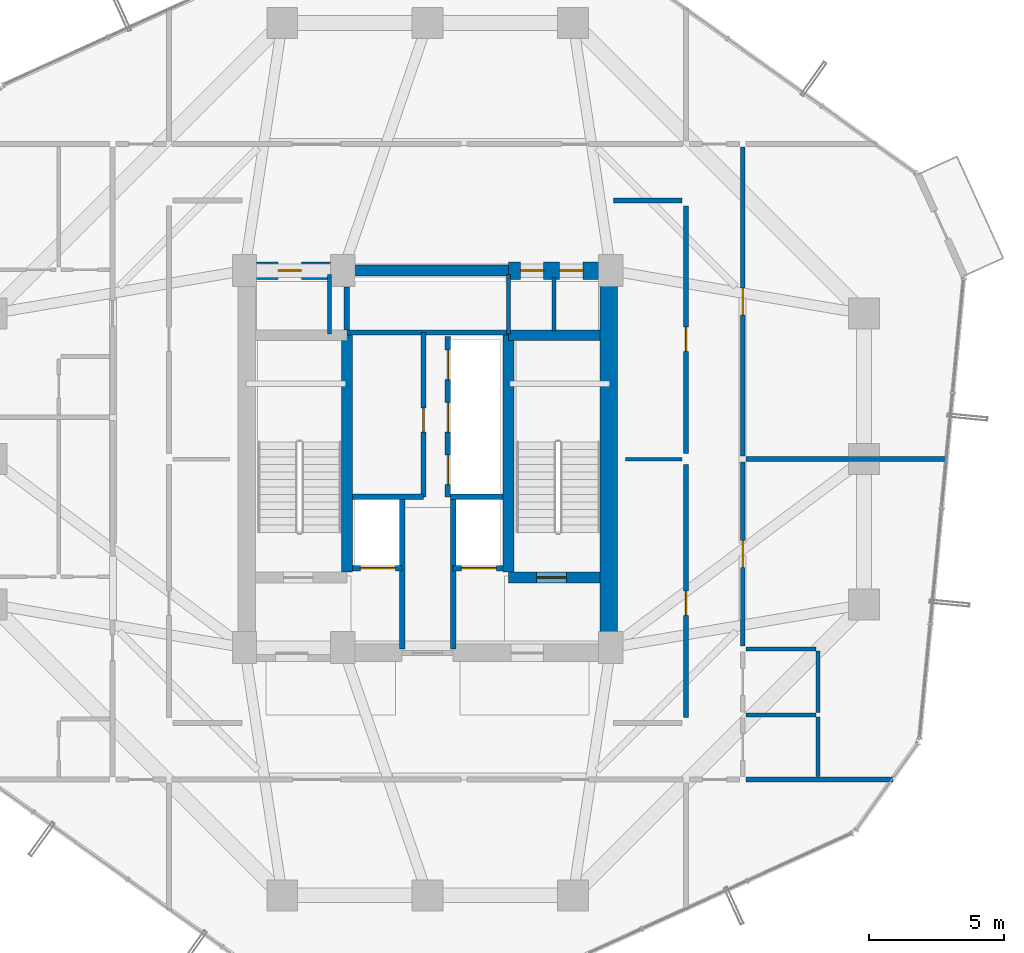
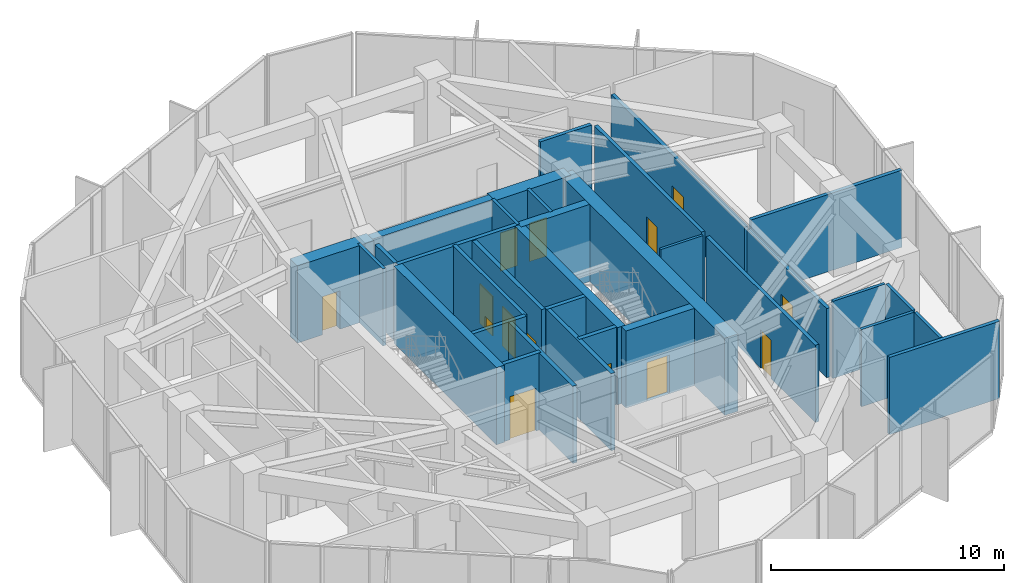
# One storey, part 22 of 25: 33 walls, 14 doors, 14 openings.
"""IFC4 building model written with IfcOpenShell, lengths in metres."""

from ifc_helpers import new_model, si_unit, direction, frame, frame_2d, origin, place, context, subcontext, project, spatial, rectangle, extrude, source, transform, mapped, material, layer, layer_set, type_object, element, fill, save


model = new_model("IFC4")

# Units and contexts
model_context = context("Model", 3, precision=1e-05, world=origin(), true_north=direction((0.0, 1.0)))
body_context = subcontext(model_context, "Body", "Model", "MODEL_VIEW")
ifc_project = project(units=[si_unit("LENGTHUNIT", "METRE"), si_unit("AREAUNIT", "SQUARE_METRE"), si_unit("VOLUMEUNIT", "CUBIC_METRE"), si_unit("PLANEANGLEUNIT", "RADIAN"), si_unit("MASSUNIT", "GRAM", prefix="KILO")], contexts=[model_context])

# Site, building, storey
site_placement = place(None, origin())
site = spatial("IfcSite", under=ifc_project, at=site_placement, CompositionType="ELEMENT")
building_placement = place(site_placement, origin())
building = spatial("IfcBuilding", under=site, at=building_placement, Name="Veraguas Prism Commons", CompositionType="ELEMENT")
storey_placement = place(building_placement, frame((0.0, 0.0, 108.949951171875)))
storey = spatial("IfcBuildingStorey", under=building, at=storey_placement, Name="L30", CompositionType="ELEMENT", Elevation=108.949951171875)

# Wall
ifc_material_1 = material(Name="Concrete C50/60", Category="concrete")
ifc_layer_1 = layer(ifc_material_1, 0.39990234375, Name="Clinic and Mid Core Shear Wall RC 400", Category="concrete")
ifc_layer_set_1 = layer_set([ifc_layer_1], Name="Concrete C50/60")
wall_type_1 = type_object("IfcWallType", Name="Clinic and Mid Core Shear Wall RC 400", PredefinedType="SHEAR", material=ifc_layer_set_1)
wall_1_placement = place(storey_placement, frame((21.0, 31.0, 0.0), z_axis=(0.0, 0.0, 1.0), x_axis=(1.0, 0.0, 0.0)))
element("IfcWall", 1, at=wall_1_placement, inside=storey, type_object=wall_type_1, Name="High-Rise Lift Bank Front Shear Wall L30", PredefinedType="SHEAR", context=body_context, shape_type="SweptSolid", body=[
    extrude(rectangle(XDim=6.0, YDim=0.39990234375, at=frame_2d((3.0, 0.0))), origin(), (0.0, 0.0, 1.0), 4.050048828125),
])

# Wall, opening, door
wall_2_placement = place(storey_placement, frame((27.0, 19.60009765625, 0.0), z_axis=(0.0, 0.0, 1.0), x_axis=(1.0, 0.0, 0.0)))
wall_2 = element("IfcWall", 2, at=wall_2_placement, inside=storey, type_object=wall_type_1, Name="Stair ST-02 South Shear Wall L30", PredefinedType="SHEAR", context=body_context, shape_type="SweptSolid", body=[
    extrude(rectangle(XDim=3.39990234375, YDim=0.39990234375, at=frame_2d((1.699951171875, 0.0))), origin(), (0.0, 0.0, 1.0), 4.050048828125),
])
opening_1_placement = place(wall_2_placement, frame((1.050048828125, 0.0, 0.0)))
opening_1 = element("IfcOpeningElement", 3, at=opening_1_placement, cuts=wall_2, Name="Opening DR-05", PredefinedType="OPENING", context=body_context, shape_type="SweptSolid", body=[
    extrude(rectangle(XDim=1.10009765625, YDim=2.030029296875, at=frame_2d((0.550048828125, 1.01513671875))), frame((0.0, 0.2099609375, 0.0), z_axis=(0.0, -1.0, 0.0), x_axis=(1.0, 0.0, 0.0)), (0.0, 0.0, 1.0), 0.419921875),
])
ifc_material_2 = material(Name="Steel fire-rated door assembly", Category="steel")
door_type_1 = type_object("IfcDoorType", Name="Protected Stair and Refuge Fire Door 1100x2030", OperationType="NOTDEFINED", PredefinedType="DOOR", material=ifc_material_2)
shared_shape_1 = source(origin(), body_context, "Body", "SweptSolid", [
    extrude(rectangle(XDim=1.10009765625, YDim=2.030029296875, at=frame_2d((0.550048828125, 1.01513671875))), frame((0.0, 0.02490234375, 0.0), z_axis=(0.0, -1.0, 0.0), x_axis=(1.0, 0.0, 0.0)), (0.0, 0.0, 1.0), 0.050048828125),
])
door_1_placement = place(opening_1_placement, origin())
door_1 = element("IfcDoor", 4, at=door_1_placement, inside=storey, type_object=door_type_1, Name="Stair ST-02 Enclosure Door L30", OperationType="SINGLE_SWING_LEFT", OverallHeight=2.030029296875, OverallWidth=1.10009765625, PredefinedType="DOOR", context=body_context, shape_type="MappedRepresentation", body=[
    mapped(shared_shape_1, transform((0.0, 0.0, 0.0), scale=1.0)),
])
fill(opening_1, door_1)

# Walls
for number, where, z_axis, x_axis, name in (
    (5, (21.0, 19.800048828125, 0.0), (0.0, 0.0, 1.0), (0.0, 1.0, 0.0), "Stair ST-01 Inner Shear Wall L30"),
    (6, (27.0, 19.800048828125, 0.0), (0.0, 0.0, 1.0), (0.0, 1.0, 0.0), "Stair ST-02 Inner Shear Wall L30"),
):
    element("IfcWall", number, at=place(storey_placement, frame(where, z_axis=z_axis, x_axis=x_axis)), inside=storey, type_object=wall_type_1, Name=name, PredefinedType="SHEAR", context=body_context, shape_type="SweptSolid", body=[
        extrude(rectangle(XDim=8.800048828125, YDim=0.39990234375, at=frame_2d((4.39990234375, 0.0))), origin(), (0.0, 0.0, 1.0), 4.050048828125),
    ])
wall_3_placement = place(storey_placement, frame((27.0, 28.60009765625, 0.0), z_axis=(0.0, 0.0, 1.0), x_axis=(1.0, 0.0, 0.0)))
element("IfcWall", 7, at=wall_3_placement, inside=storey, type_object=wall_type_1, Name="Stair ST-02 North Shear Wall L30", PredefinedType="SHEAR", context=body_context, shape_type="SweptSolid", body=[
    extrude(rectangle(XDim=3.39990234375, YDim=0.39990234375, at=frame_2d((1.699951171875, 0.0))), origin(), (0.0, 0.0, 1.0), 4.050048828125),
])
ifc_material_3 = material(Name="Concrete C55/67", Category="concrete")
ifc_layer_2 = layer(ifc_material_3, 0.64990234375, Name="Core Outer Shear Wall Mid RC 650", Category="concrete")
ifc_layer_set_2 = layer_set([ifc_layer_2], Name="Concrete C55/67")
wall_type_2 = type_object("IfcWallType", Name="Core Outer Shear Wall Mid RC 650", PredefinedType="SHEAR", material=ifc_layer_set_2)
wall_4_placement = place(storey_placement, frame((30.72509765625, 16.800048828125, 0.0), z_axis=(0.0, 0.0, 1.0), x_axis=(0.0, 1.0, 0.0)))
element("IfcWall", 8, at=wall_4_placement, inside=storey, type_object=wall_type_2, Name="Central Core East Shear Wall L30", PredefinedType="SHEAR", context=body_context, shape_type="SweptSolid", body=[
    extrude(rectangle(XDim=14.199951171875, YDim=0.64990234375, at=frame_2d((7.10009765625, 0.0))), origin(), (0.0, 0.0, 1.0), 4.050048828125),
])

# Wall, opening, door
wall_5_placement = place(storey_placement, frame((17.199951171875, 31.0, 0.0), z_axis=(0.0, 0.0, 1.0), x_axis=(1.0, 0.0, 0.0)))
wall_5 = element("IfcWall", 9, at=wall_5_placement, inside=storey, type_object=wall_type_2, Name="Central Core North-West Shear Wall L30", PredefinedType="SHEAR", context=body_context, shape_type="SweptSolid", body=[
    extrude(rectangle(XDim=3.800048828125, YDim=0.64990234375, at=frame_2d((1.89990234375, 0.0))), origin(), (0.0, 0.0, 1.0), 4.050048828125),
])
opening_2_placement = place(wall_5_placement, frame((1.25, 0.0, 0.0)))
opening_2 = element("IfcOpeningElement", 10, at=opening_2_placement, cuts=wall_5, Name="Opening DR-12", PredefinedType="OPENING", context=body_context, shape_type="SweptSolid", body=[
    extrude(rectangle(XDim=0.860107421875, YDim=2.010009765625, at=frame_2d((0.43017578125, 1.0048828125))), frame((0.0, 0.3349609375, 0.0), z_axis=(0.0, -1.0, 0.0), x_axis=(1.0, 0.0, 0.0)), (0.0, 0.0, 1.0), 0.669921875),
])
door_type_2 = type_object("IfcDoorType", Name="Core WC Fire Door 860x2010", OperationType="NOTDEFINED", PredefinedType="DOOR", material=ifc_material_2)
shared_shape_2 = source(origin(), body_context, "Body", "SweptSolid", [
    extrude(rectangle(XDim=0.860107421875, YDim=2.010009765625, at=frame_2d((0.43017578125, 1.0048828125))), frame((0.0, 0.02490234375, 0.0), z_axis=(0.0, -1.0, 0.0), x_axis=(1.0, 0.0, 0.0)), (0.0, 0.0, 1.0), 0.050048828125),
])
door_2_placement = place(opening_2_placement, origin())
door_2 = element("IfcDoor", 11, at=door_2_placement, inside=storey, type_object=door_type_2, Name="Core NW Service Door L30", OperationType="SINGLE_SWING_LEFT", OverallHeight=2.010009765625, OverallWidth=0.860107421875, PredefinedType="DOOR", context=body_context, shape_type="MappedRepresentation", body=[
    mapped(shared_shape_2, transform((0.0, 0.0, 0.0), scale=1.0)),
])
fill(opening_2, door_2)

# Wall, openings, doors
wall_6_placement = place(storey_placement, frame((27.0, 31.0, 0.0), z_axis=(0.0, 0.0, 1.0), x_axis=(1.0, 0.0, 0.0)))
wall_6 = element("IfcWall", 12, at=wall_6_placement, inside=storey, type_object=wall_type_2, Name="Central Core North-East Shear Wall L30", PredefinedType="SHEAR", context=body_context, shape_type="SweptSolid", body=[
    extrude(rectangle(XDim=3.800048828125, YDim=0.64990234375, at=frame_2d((1.89990234375, 0.0))), origin(), (0.0, 0.0, 1.0), 4.050048828125),
])
opening_3_placement = place(wall_6_placement, frame((0.449951171875, 0.0, 0.0)))
opening_3 = element("IfcOpeningElement", 13, at=opening_3_placement, cuts=wall_6, Name="Opening DR-12", PredefinedType="OPENING", context=body_context, shape_type="SweptSolid", body=[
    extrude(rectangle(XDim=0.860107421875, YDim=2.010009765625, at=frame_2d((0.43017578125, 1.0048828125))), frame((0.0, 0.3349609375, 0.0), z_axis=(0.0, -1.0, 0.0), x_axis=(1.0, 0.0, 0.0)), (0.0, 0.0, 1.0), 0.669921875),
])
opening_4_placement = place(wall_6_placement, frame((1.89990234375, 0.0, 0.0)))
opening_4 = element("IfcOpeningElement", 14, at=opening_4_placement, cuts=wall_6, Name="Opening DR-12", PredefinedType="OPENING", context=body_context, shape_type="SweptSolid", body=[
    extrude(rectangle(XDim=0.860107421875, YDim=2.010009765625, at=frame_2d((0.43017578125, 1.0048828125))), frame((0.0, 0.3349609375, 0.0), z_axis=(0.0, -1.0, 0.0), x_axis=(1.0, 0.0, 0.0)), (0.0, 0.0, 1.0), 0.669921875),
])
door_3_placement = place(opening_3_placement, origin())
door_3 = element("IfcDoor", 15, at=door_3_placement, inside=storey, type_object=door_type_2, Name="Core NE Room A Door L30", OperationType="SINGLE_SWING_RIGHT", OverallHeight=2.010009765625, OverallWidth=0.860107421875, PredefinedType="DOOR", context=body_context, shape_type="MappedRepresentation", body=[
    mapped(shared_shape_2, transform((0.0, 0.0, 0.0), scale=1.0)),
])
fill(opening_3, door_3)
door_4_placement = place(opening_4_placement, origin())
door_4 = element("IfcDoor", 16, at=door_4_placement, inside=storey, type_object=door_type_2, Name="Core NE Room B Door L30", OperationType="SINGLE_SWING_LEFT", OverallHeight=2.010009765625, OverallWidth=0.860107421875, PredefinedType="DOOR", context=body_context, shape_type="MappedRepresentation", body=[
    mapped(shared_shape_2, transform((0.0, 0.0, 0.0), scale=1.0)),
])
fill(opening_4, door_4)

# Wall, opening, door
ifc_material_4 = material(Name="Autoclaved aerated masonry block 10 MPa", Category="masonry")
ifc_layer_3 = layer(ifc_material_4, 0.179931640625, Name="Corridor and Inter-Tenancy Partition 180", Category="masonry")
ifc_layer_set_3 = layer_set([ifc_layer_3], Name="Autoclaved aerated masonry block 10 MPa")
wall_type_3 = type_object("IfcWallType", Name="Corridor and Inter-Tenancy Partition 180", PredefinedType="PARTITIONING", material=ifc_layer_set_3)
wall_7_placement = place(storey_placement, frame((23.85009765625, 22.60009765625, 0.0), z_axis=(0.0, 0.0, 1.0), x_axis=(0.0, 1.0, 0.0)))
wall_7 = element("IfcWall", 17, at=wall_7_placement, inside=storey, type_object=wall_type_3, Name="Reading Room Partition L30", PredefinedType="PARTITIONING", context=body_context, shape_type="SweptSolid", body=[
    extrude(rectangle(XDim=6.099853515625, YDim=0.179931640625, at=frame_2d((3.0498046875, 0.0))), origin(), (0.0, 0.0, 1.0), 4.050048828125),
])
opening_5_placement = place(wall_7_placement, frame((2.39990234375, 0.0, 0.0)))
opening_5 = element("IfcOpeningElement", 18, at=opening_5_placement, cuts=wall_7, Name="Opening DR-14", PredefinedType="OPENING", context=body_context, shape_type="SweptSolid", body=[
    extrude(rectangle(XDim=0.89990234375, YDim=2.010009765625, at=frame_2d((0.449951171875, 1.0048828125))), frame((0.0, 0.099853515625, 0.0), z_axis=(0.0, -1.0, 0.0), x_axis=(1.0, 0.0, 0.0)), (0.0, 0.0, 1.0), 0.199951171875),
])
door_type_3 = type_object("IfcDoorType", Name="Core Service Room Fire Door 900x2010", OperationType="NOTDEFINED", PredefinedType="DOOR", material=ifc_material_2)
shared_shape_3 = source(origin(), body_context, "Body", "SweptSolid", [
    extrude(rectangle(XDim=0.89990234375, YDim=2.010009765625, at=frame_2d((0.449951171875, 1.0048828125))), frame((0.0, 0.02490234375, 0.0), z_axis=(0.0, -1.0, 0.0), x_axis=(1.0, 0.0, 0.0)), (0.0, 0.0, 1.0), 0.050048828125),
])
door_5_placement = place(opening_5_placement, origin())
door_5 = element("IfcDoor", 19, at=door_5_placement, inside=storey, type_object=door_type_3, Name="Reading Room Door L30", OperationType="SINGLE_SWING_RIGHT", OverallHeight=2.010009765625, OverallWidth=0.89990234375, PredefinedType="DOOR", context=body_context, shape_type="MappedRepresentation", body=[
    mapped(shared_shape_3, transform((0.0, 0.0, 0.0), scale=1.0)),
])
fill(opening_5, door_5)

wall_8_placement = place(storey_placement, frame((33.60009765625, 14.39990234375, 0.0), z_axis=(0.0, 0.0, 1.0), x_axis=(0.0, 1.0, 0.0)))
wall_8 = element("IfcWall", 20, at=wall_8_placement, inside=storey, type_object=wall_type_3, Name="WL-L30-IRE1", PredefinedType="PARTITIONING", context=body_context, shape_type="SweptSolid", body=[
    extrude(rectangle(XDim=9.400146484375, YDim=0.179931640625, at=frame_2d((4.7001953125, 0.0))), origin(), (0.0, 0.0, 1.0), 4.050048828125),
])
opening_6_placement = place(wall_8_placement, frame((3.800048828125, 0.0, 0.0)))
opening_6 = element("IfcOpeningElement", 21, at=opening_6_placement, cuts=wall_8, Name="Opening DR-14", PredefinedType="OPENING", context=body_context, shape_type="SweptSolid", body=[
    extrude(rectangle(XDim=0.89990234375, YDim=2.010009765625, at=frame_2d((0.449951171875, 1.0048828125))), frame((0.0, 0.099853515625, 0.0), z_axis=(0.0, -1.0, 0.0), x_axis=(1.0, 0.0, 0.0)), (0.0, 0.0, 1.0), 0.199951171875),
])
door_6_placement = place(opening_6_placement, origin())
door_6 = element("IfcDoor", 22, at=door_6_placement, inside=storey, type_object=door_type_3, Name="Shared Laundry Annex Door L30", OperationType="SINGLE_SWING_LEFT", OverallHeight=2.010009765625, OverallWidth=0.89990234375, PredefinedType="DOOR", context=body_context, shape_type="MappedRepresentation", body=[
    mapped(shared_shape_3, transform((0.0, 0.0, 0.0), scale=1.0)),
])
fill(opening_6, door_6)

wall_9_placement = place(storey_placement, frame((33.60009765625, 24.199951171875, 0.0), z_axis=(0.0, 0.0, 1.0), x_axis=(0.0, 1.0, 0.0)))
wall_9 = element("IfcWall", 23, at=wall_9_placement, inside=storey, type_object=wall_type_3, Name="WL-L30-IRE2", PredefinedType="PARTITIONING", context=body_context, shape_type="SweptSolid", body=[
    extrude(rectangle(XDim=9.199951171875, YDim=0.179931640625, at=frame_2d((4.60009765625, 0.0))), origin(), (0.0, 0.0, 1.0), 4.050048828125),
])
opening_7_placement = place(wall_9_placement, frame((3.800048828125, 0.0, 0.0)))
opening_7 = element("IfcOpeningElement", 24, at=opening_7_placement, cuts=wall_9, Name="Opening DR-14", PredefinedType="OPENING", context=body_context, shape_type="SweptSolid", body=[
    extrude(rectangle(XDim=0.89990234375, YDim=2.010009765625, at=frame_2d((0.449951171875, 1.0048828125))), frame((0.0, 0.099853515625, 0.0), z_axis=(0.0, -1.0, 0.0), x_axis=(1.0, 0.0, 0.0)), (0.0, 0.0, 1.0), 0.199951171875),
])
door_7_placement = place(opening_7_placement, origin())
door_7 = element("IfcDoor", 25, at=door_7_placement, inside=storey, type_object=door_type_3, Name="Community Reading Alcove Door L30", OperationType="SINGLE_SWING_RIGHT", OverallHeight=2.010009765625, OverallWidth=0.89990234375, PredefinedType="DOOR", context=body_context, shape_type="MappedRepresentation", body=[
    mapped(shared_shape_3, transform((0.0, 0.0, 0.0), scale=1.0)),
])
fill(opening_7, door_7)

# Walls
wall_10_placement = place(storey_placement, frame((30.89990234375, 33.60009765625, 0.0), z_axis=(0.0, 0.0, 1.0), x_axis=(1.0, 0.0, 0.0)))
element("IfcWall", 26, at=wall_10_placement, inside=storey, type_object=wall_type_3, Name="WL-L30-IREN", PredefinedType="PARTITIONING", context=body_context, shape_type="SweptSolid", body=[
    extrude(rectangle(XDim=2.550048828125, YDim=0.179931640625, at=frame_2d((1.27490234375, 0.0))), origin(), (0.0, 0.0, 1.0), 4.050048828125),
])
wall_11_placement = place(storey_placement, frame((35.820068359375, 12.10009765625, 0.0), z_axis=(0.0, 0.0, 1.0), x_axis=(1.0, 0.0, 0.0)))
element("IfcWall", 27, at=wall_11_placement, inside=storey, type_object=wall_type_3, Name="WL-L30-PT024", PredefinedType="PARTITIONING", context=body_context, shape_type="SweptSolid", body=[
    extrude(rectangle(XDim=5.46337890625, YDim=0.179931640625, at=frame_2d((2.731689453125, 0.0))), origin(), (0.0, 0.0, 1.0), 4.050048828125),
])

# Wall, opening, door
wall_12_placement = place(storey_placement, frame((35.699951171875, 17.06005859375, 0.0), z_axis=(0.0, 0.0, 1.0), x_axis=(0.0, 1.0, 0.0)))
wall_12 = element("IfcWall", 28, at=wall_12_placement, inside=storey, type_object=wall_type_3, Name="WL-L30-PT028", PredefinedType="PARTITIONING", context=body_context, shape_type="SweptSolid", body=[
    extrude(rectangle(XDim=6.829833984375, YDim=0.179931640625, at=frame_2d((3.4150390625, 0.0))), origin(), (0.0, 0.0, 1.0), 3.630126953125),
])
opening_8_placement = place(wall_12_placement, frame((2.9150390625, 0.0, 0.0)))
opening_8 = element("IfcOpeningElement", 29, at=opening_8_placement, cuts=wall_12, Name="Opening DR-13", PredefinedType="OPENING", context=body_context, shape_type="SweptSolid", body=[
    extrude(rectangle(XDim=1.0, YDim=2.010009765625, at=frame_2d((0.5, 1.0048828125))), frame((0.0, 0.099853515625, 0.0), z_axis=(0.0, -1.0, 0.0), x_axis=(1.0, 0.0, 0.0)), (0.0, 0.0, 1.0), 0.199951171875),
])
door_type_4 = type_object("IfcDoorType", Name="Core Accessible WC and Clinic Fire Door 1000x2010", OperationType="NOTDEFINED", PredefinedType="DOOR", material=ifc_material_2)
shared_shape_4 = source(origin(), body_context, "Body", "SweptSolid", [
    extrude(rectangle(XDim=1.0, YDim=2.010009765625, at=frame_2d((0.5, 1.0048828125))), frame((0.0, 0.02490234375, 0.0), z_axis=(0.0, -1.0, 0.0), x_axis=(1.0, 0.0, 0.0)), (0.0, 0.0, 1.0), 0.050048828125),
])
door_8_placement = place(opening_8_placement, origin())
door_8 = element("IfcDoor", 30, at=door_8_placement, inside=storey, type_object=door_type_4, Name="Quiet Study L30 Door", OperationType="SINGLE_SWING_LEFT", OverallHeight=2.010009765625, OverallWidth=1.0, PredefinedType="DOOR", context=body_context, shape_type="MappedRepresentation", body=[
    mapped(shared_shape_4, transform((0.0, 0.0, 0.0), scale=1.0)),
])
fill(opening_8, door_8)

wall_13_placement = place(storey_placement, frame((35.699951171875, 24.110107421875, 0.0), z_axis=(0.0, 0.0, 1.0), x_axis=(0.0, 1.0, 0.0)))
wall_13 = element("IfcWall", 31, at=wall_13_placement, inside=storey, type_object=wall_type_3, Name="WL-L30-PT029", PredefinedType="PARTITIONING", context=body_context, shape_type="SweptSolid", body=[
    extrude(rectangle(XDim=11.47998046875, YDim=0.179931640625, at=frame_2d((5.739990234375, 0.0))), origin(), (0.0, 0.0, 1.0), 3.630126953125),
])
opening_9_placement = place(wall_13_placement, frame((5.239990234375, 0.0, 0.0)))
opening_9 = element("IfcOpeningElement", 32, at=opening_9_placement, cuts=wall_13, Name="Opening DR-13", PredefinedType="OPENING", context=body_context, shape_type="SweptSolid", body=[
    extrude(rectangle(XDim=1.0, YDim=2.010009765625, at=frame_2d((0.5, 1.0048828125))), frame((0.0, 0.099853515625, 0.0), z_axis=(0.0, -1.0, 0.0), x_axis=(1.0, 0.0, 0.0)), (0.0, 0.0, 1.0), 0.199951171875),
])
door_9_placement = place(opening_9_placement, origin())
door_9 = element("IfcDoor", 33, at=door_9_placement, inside=storey, type_object=door_type_4, Name="Reading Lounge L30 Door", OperationType="SINGLE_SWING_RIGHT", OverallHeight=2.010009765625, OverallWidth=1.0, PredefinedType="DOOR", context=body_context, shape_type="MappedRepresentation", body=[
    mapped(shared_shape_4, transform((0.0, 0.0, 0.0), scale=1.0)),
])
fill(opening_9, door_9)

# Walls
wall_14_placement = place(storey_placement, frame((35.820068359375, 24.0, 0.0), z_axis=(0.0, 0.0, 1.0), x_axis=(1.0, 0.0, 0.0)))
element("IfcWall", 34, at=wall_14_placement, inside=storey, type_object=wall_type_3, Name="WL-L30-PT034", PredefinedType="PARTITIONING", context=body_context, shape_type="SweptSolid", body=[
    extrude(rectangle(XDim=7.481201171875, YDim=0.179931640625, at=frame_2d((3.74072265625, 0.0))), origin(), (0.0, 0.0, 1.0), 4.050048828125),
])
ifc_material_5 = material(Name="Lightweight acoustic gypsum board")
ifc_layer_4 = layer(ifc_material_5, 0.125, Name="Internal Apartment Room Partition 125")
ifc_layer_set_4 = layer_set([ifc_layer_4], Name="Lightweight acoustic gypsum board")
wall_type_4 = type_object("IfcWallType", Name="Internal Apartment Room Partition 125", PredefinedType="PARTITIONING", material=ifc_layer_set_4)
wall_15_placement = place(storey_placement, frame((31.35009765625, 24.0, 0.0), z_axis=(0.0, 0.0, 1.0), x_axis=(1.0, 0.0, 0.0)))
element("IfcWall", 35, at=wall_15_placement, inside=storey, type_object=wall_type_4, Name="WL-L30-IREM", PredefinedType="PARTITIONING", context=body_context, shape_type="SweptSolid", body=[
    extrude(rectangle(XDim=2.099853515625, YDim=0.125, at=frame_2d((1.0498046875, 0.0))), origin(), (0.0, 0.0, 1.0), 4.050048828125),
])

# Wall, opening, door
ifc_layer_5 = layer(ifc_material_4, 0.199951171875, Name="Rated Shaft and Lobby Block Wall 200", Category="masonry")
ifc_layer_set_5 = layer_set([ifc_layer_5], Name="Autoclaved aerated masonry block 10 MPa")
wall_type_5 = type_object("IfcWallType", Name="Rated Shaft and Lobby Block Wall 200", PredefinedType="SOLIDWALL", material=ifc_layer_set_5)
wall_16_placement = place(storey_placement, frame((21.199951171875, 19.949951171875, 0.0), z_axis=(0.0, 0.0, 1.0), x_axis=(1.0, 0.0, 0.0)))
wall_16 = element("IfcWall", 36, at=wall_16_placement, inside=storey, type_object=wall_type_5, Name="Firefighting Lift FFL-1 Front Wall L30", PredefinedType="SOLIDWALL", context=body_context, shape_type="SweptSolid", body=[
    extrude(rectangle(XDim=1.85009765625, YDim=0.199951171875, at=frame_2d((0.925048828125, 0.0))), origin(), (0.0, 0.0, 1.0), 4.050048828125),
])
opening_10_placement = place(wall_16_placement, frame((0.300048828125, 0.0, 0.0)))
opening_10 = element("IfcOpeningElement", 37, at=opening_10_placement, cuts=wall_16, Name="Opening LD-02", PredefinedType="OPENING", context=body_context, shape_type="SweptSolid", body=[
    extrude(rectangle(XDim=1.300048828125, YDim=2.25, at=frame_2d((0.64990234375, 1.125))), frame((0.0, 0.10986328125, 0.0), z_axis=(0.0, -1.0, 0.0), x_axis=(1.0, 0.0, 0.0)), (0.0, 0.0, 1.0), 0.219970703125),
])
ifc_material_6 = material(Name="Stainless steel AISI 316", Category="steel")
door_type_5 = type_object("IfcDoorType", Name="Firefighting Lift Sliding Landing Door 1300x2250", OperationType="NOTDEFINED", PredefinedType="DOOR", material=ifc_material_6)
shared_shape_5 = source(origin(), body_context, "Body", "SweptSolid", [
    extrude(rectangle(XDim=1.300048828125, YDim=2.25, at=frame_2d((0.64990234375, 1.125))), frame((0.0, 0.02490234375, 0.0), z_axis=(0.0, -1.0, 0.0), x_axis=(1.0, 0.0, 0.0)), (0.0, 0.0, 1.0), 0.050048828125),
])
door_10_placement = place(opening_10_placement, origin())
door_10 = element("IfcDoor", 38, at=door_10_placement, inside=storey, type_object=door_type_5, Name="Firefighting Lift FFL-1 Landing Door L30", OperationType="SLIDING_TO_LEFT", OverallHeight=2.25, OverallWidth=1.300048828125, PredefinedType="DOOR", context=body_context, shape_type="MappedRepresentation", body=[
    mapped(shared_shape_5, transform((0.0, 0.0, 0.0), scale=1.0)),
])
fill(opening_10, door_10)

wall_17_placement = place(storey_placement, frame((24.949951171875, 19.949951171875, 0.0), z_axis=(0.0, 0.0, 1.0), x_axis=(1.0, 0.0, 0.0)))
wall_17 = element("IfcWall", 39, at=wall_17_placement, inside=storey, type_object=wall_type_5, Name="Firefighting Lift FFL-2 Front Wall L30", PredefinedType="SOLIDWALL", context=body_context, shape_type="SweptSolid", body=[
    extrude(rectangle(XDim=1.85009765625, YDim=0.199951171875, at=frame_2d((0.925048828125, 0.0))), origin(), (0.0, 0.0, 1.0), 4.050048828125),
])
opening_11_placement = place(wall_17_placement, frame((0.300048828125, 0.0, 0.0)))
opening_11 = element("IfcOpeningElement", 40, at=opening_11_placement, cuts=wall_17, Name="Opening LD-02", PredefinedType="OPENING", context=body_context, shape_type="SweptSolid", body=[
    extrude(rectangle(XDim=1.300048828125, YDim=2.25, at=frame_2d((0.64990234375, 1.125))), frame((0.0, 0.10986328125, 0.0), z_axis=(0.0, -1.0, 0.0), x_axis=(1.0, 0.0, 0.0)), (0.0, 0.0, 1.0), 0.219970703125),
])
door_11_placement = place(opening_11_placement, origin())
door_11 = element("IfcDoor", 41, at=door_11_placement, inside=storey, type_object=door_type_5, Name="Firefighting Lift FFL-2 Front Wall L30", OperationType="SLIDING_TO_LEFT", OverallHeight=2.25, OverallWidth=1.300048828125, PredefinedType="DOOR", context=body_context, shape_type="MappedRepresentation", body=[
    mapped(shared_shape_5, transform((0.0, 0.0, 0.0), scale=1.0)),
])
fill(opening_11, door_11)

# Walls
for number, where, z_axis, x_axis, name in (
    (42, (23.050048828125, 16.949951171875, 0.0), (0.0, 0.0, 1.0), (0.0, 1.0, 0.0), "West FF Lobby Divider Wall L30"),
    (43, (24.949951171875, 16.949951171875, 0.0), (0.0, 0.0, 1.0), (0.0, 1.0, 0.0), "East FF Lobby Divider Wall L30"),
):
    element("IfcWall", number, at=place(storey_placement, frame(where, z_axis=z_axis, x_axis=x_axis)), inside=storey, type_object=wall_type_5, Name=name, PredefinedType="SOLIDWALL", context=body_context, shape_type="SweptSolid", body=[
        extrude(rectangle(XDim=5.60009765625, YDim=0.199951171875, at=frame_2d((2.800048828125, 0.0))), origin(), (0.0, 0.0, 1.0), 4.050048828125),
    ])
wall_18_placement = place(storey_placement, frame((21.199951171875, 22.60009765625, 0.0), z_axis=(0.0, 0.0, 1.0), x_axis=(1.0, 0.0, 0.0)))
element("IfcWall", 44, at=wall_18_placement, inside=storey, type_object=wall_type_5, Name="Firefighting Lift FFL-1 Rear Wall L30", PredefinedType="SOLIDWALL", context=body_context, shape_type="SweptSolid", body=[
    extrude(rectangle(XDim=2.650146484375, YDim=0.199951171875, at=frame_2d((1.3251953125, 0.0))), origin(), (0.0, 0.0, 1.0), 4.050048828125),
])
wall_19_placement = place(storey_placement, frame((24.85009765625, 22.60009765625, 0.0), z_axis=(0.0, 0.0, 1.0), x_axis=(1.0, 0.0, 0.0)))
element("IfcWall", 45, at=wall_19_placement, inside=storey, type_object=wall_type_5, Name="Firefighting Lift FFL-2 Rear Wall L30", PredefinedType="SOLIDWALL", context=body_context, shape_type="SweptSolid", body=[
    extrude(rectangle(XDim=1.949951171875, YDim=0.199951171875, at=frame_2d((0.97509765625, 0.0))), origin(), (0.0, 0.0, 1.0), 4.050048828125),
])
wall_20_placement = place(storey_placement, frame((21.0, 28.699951171875, 0.0), z_axis=(0.0, 0.0, 1.0), x_axis=(1.0, 0.0, 0.0)))
element("IfcWall", 46, at=wall_20_placement, inside=storey, type_object=wall_type_5, Name="High-Rise Lift Bank Rear Shaft Wall L30", PredefinedType="SOLIDWALL", context=body_context, shape_type="SweptSolid", body=[
    extrude(rectangle(XDim=6.0, YDim=0.199951171875, at=frame_2d((3.0, 0.0))), origin(), (0.0, 0.0, 1.0), 4.050048828125),
])
wall_21_placement = place(storey_placement, frame((21.0, 28.800048828125, 0.0), z_axis=(0.0, 0.0, 1.0), x_axis=(0.0, 1.0, 0.0)))
element("IfcWall", 47, at=wall_21_placement, inside=storey, type_object=wall_type_5, Name="High-Rise Lift Bank West Shaft Wall L30", PredefinedType="SOLIDWALL", context=body_context, shape_type="SweptSolid", body=[
    extrude(rectangle(XDim=1.599853515625, YDim=0.199951171875, at=frame_2d((0.7998046875, 0.0))), origin(), (0.0, 0.0, 1.0), 4.050048828125),
])

# Wall, openings, doors
wall_22_placement = place(storey_placement, frame((24.75, 22.60009765625, 0.0), z_axis=(0.0, 0.0, 1.0), x_axis=(0.0, 1.0, 0.0)))
wall_22 = element("IfcWall", 48, at=wall_22_placement, inside=storey, type_object=wall_type_5, Name="Mid-Rise Lift Bank Front Wall L30", PredefinedType="SOLIDWALL", context=body_context, shape_type="SweptSolid", body=[
    extrude(rectangle(XDim=5.949951171875, YDim=0.199951171875, at=frame_2d((2.97509765625, 0.0))), origin(), (0.0, 0.0, 1.0), 4.050048828125),
])
opening_12_placement = place(wall_22_placement, frame((0.449951171875, 0.0, 0.0)))
opening_12 = element("IfcOpeningElement", 49, at=opening_12_placement, cuts=wall_22, Name="Opening LD-01", PredefinedType="OPENING", context=body_context, shape_type="SweptSolid", body=[
    extrude(rectangle(XDim=1.10009765625, YDim=2.080078125, at=frame_2d((0.550048828125, 1.0400390625))), frame((0.0, 0.10986328125, 0.0), z_axis=(0.0, -1.0, 0.0), x_axis=(1.0, 0.0, 0.0)), (0.0, 0.0, 1.0), 0.219970703125),
])
opening_13_placement = place(wall_22_placement, frame((2.39990234375, 0.0, 0.0)))
opening_13 = element("IfcOpeningElement", 50, at=opening_13_placement, cuts=wall_22, Name="Opening LD-01", PredefinedType="OPENING", context=body_context, shape_type="SweptSolid", body=[
    extrude(rectangle(XDim=1.10009765625, YDim=2.080078125, at=frame_2d((0.550048828125, 1.0400390625))), frame((0.0, 0.10986328125, 0.0), z_axis=(0.0, -1.0, 0.0), x_axis=(1.0, 0.0, 0.0)), (0.0, 0.0, 1.0), 0.219970703125),
])
opening_14_placement = place(wall_22_placement, frame((4.35009765625, 0.0, 0.0)))
opening_14 = element("IfcOpeningElement", 51, at=opening_14_placement, cuts=wall_22, Name="Opening LD-01", PredefinedType="OPENING", context=body_context, shape_type="SweptSolid", body=[
    extrude(rectangle(XDim=1.10009765625, YDim=2.080078125, at=frame_2d((0.550048828125, 1.0400390625))), frame((0.0, 0.10986328125, 0.0), z_axis=(0.0, -1.0, 0.0), x_axis=(1.0, 0.0, 0.0)), (0.0, 0.0, 1.0), 0.219970703125),
])
door_type_6 = type_object("IfcDoorType", Name="Passenger Lift Sliding Landing Door 1100x2080", OperationType="NOTDEFINED", PredefinedType="DOOR", material=ifc_material_6)
shared_shape_6 = source(origin(), body_context, "Body", "SweptSolid", [
    extrude(rectangle(XDim=1.10009765625, YDim=2.080078125, at=frame_2d((0.550048828125, 1.0400390625))), frame((0.0, 0.02490234375, 0.0), z_axis=(0.0, -1.0, 0.0), x_axis=(1.0, 0.0, 0.0)), (0.0, 0.0, 1.0), 0.050048828125),
])
door_12_placement = place(opening_12_placement, origin())
door_12 = element("IfcDoor", 52, at=door_12_placement, inside=storey, type_object=door_type_6, Name="Sliding Landing Door PL-M1 L30", OperationType="SLIDING_TO_LEFT", OverallHeight=2.080078125, OverallWidth=1.10009765625, PredefinedType="DOOR", context=body_context, shape_type="MappedRepresentation", body=[
    mapped(shared_shape_6, transform((0.0, 0.0, 0.0), scale=1.0)),
])
fill(opening_12, door_12)
door_13_placement = place(opening_13_placement, origin())
door_13 = element("IfcDoor", 53, at=door_13_placement, inside=storey, type_object=door_type_6, Name="Sliding Landing Door PL-M2 L30", OperationType="SLIDING_TO_LEFT", OverallHeight=2.080078125, OverallWidth=1.10009765625, PredefinedType="DOOR", context=body_context, shape_type="MappedRepresentation", body=[
    mapped(shared_shape_6, transform((0.0, 0.0, 0.0), scale=1.0)),
])
fill(opening_13, door_13)
door_14_placement = place(opening_14_placement, origin())
door_14 = element("IfcDoor", 54, at=door_14_placement, inside=storey, type_object=door_type_6, Name="Sliding Landing Door PL-M3 L30", OperationType="SLIDING_TO_LEFT", OverallHeight=2.080078125, OverallWidth=1.10009765625, PredefinedType="DOOR", context=body_context, shape_type="MappedRepresentation", body=[
    mapped(shared_shape_6, transform((0.0, 0.0, 0.0), scale=1.0)),
])
fill(opening_14, door_14)

# Walls
ifc_layer_6 = layer(ifc_material_5, 0.14990234375, Name="Wet Room and Clinic Acoustic Partition 150")
ifc_layer_set_6 = layer_set([ifc_layer_6], Name="Lightweight acoustic gypsum board")
wall_type_6 = type_object("IfcWallType", Name="Wet Room and Clinic Acoustic Partition 150", PredefinedType="PARTITIONING", material=ifc_layer_set_6)
for number, where, z_axis, x_axis, name in (
    (55, (20.35009765625, 28.64990234375, 0.0), (0.0, 0.0, 1.0), (0.0, 1.0, 0.0), "Core NW Service Inner Wall L30"),
    (56, (27.0, 28.64990234375, 0.0), (0.0, 0.0, 1.0), (0.0, 1.0, 0.0), "Core NE Service Inner Wall L30"),
):
    element("IfcWall", number, at=place(storey_placement, frame(where, z_axis=z_axis, x_axis=x_axis)), inside=storey, type_object=wall_type_6, Name=name, PredefinedType="PARTITIONING", context=body_context, shape_type="SweptSolid", body=[
        extrude(rectangle(XDim=2.2001953125, YDim=0.14990234375, at=frame_2d((1.10009765625, 0.0))), origin(), (0.0, 0.0, 1.0), 4.050048828125),
    ])
wall_23_placement = place(storey_placement, frame((28.699951171875, 28.75, 0.0), z_axis=(0.0, 0.0, 1.0), x_axis=(0.0, 1.0, 0.0)))
element("IfcWall", 57, at=wall_23_placement, inside=storey, type_object=wall_type_6, Name="WL-L30-CSVD1", PredefinedType="PARTITIONING", context=body_context, shape_type="SweptSolid", body=[
    extrude(rectangle(XDim=2.0, YDim=0.14990234375, at=frame_2d((1.0, 0.0))), origin(), (0.0, 0.0, 1.0), 4.050048828125),
])
for number, where, z_axis, x_axis, name in (
    (58, (35.820068359375, 14.5, 0.0), (0.0, 0.0, 1.0), (1.0, 0.0, 0.0), "WL-L30-PT030"),
    (59, (35.820068359375, 16.949951171875, 0.0), (0.0, 0.0, 1.0), (1.0, 0.0, 0.0), "WL-L30-PT031"),
):
    element("IfcWall", number, at=place(storey_placement, frame(where, z_axis=z_axis, x_axis=x_axis)), inside=storey, type_object=wall_type_6, Name=name, PredefinedType="PARTITIONING", context=body_context, shape_type="SweptSolid", body=[
        extrude(rectangle(XDim=2.599853515625, YDim=0.14990234375, at=frame_2d((1.2998046875, 0.0))), origin(), (0.0, 0.0, 1.0), 4.050048828125),
    ])
wall_24_placement = place(storey_placement, frame((38.5, 12.219970703125, 0.0), z_axis=(0.0, 0.0, 1.0), x_axis=(0.0, 1.0, 0.0)))
element("IfcWall", 60, at=wall_24_placement, inside=storey, type_object=wall_type_6, Name="WL-L30-PT032", PredefinedType="PARTITIONING", context=body_context, shape_type="SweptSolid", body=[
    extrude(rectangle(XDim=2.199951171875, YDim=0.14990234375, at=frame_2d((1.10009765625, 0.0))), origin(), (0.0, 0.0, 1.0), 4.050048828125),
])
wall_25_placement = place(storey_placement, frame((38.5, 14.580078125, 0.0), z_axis=(0.0, 0.0, 1.0), x_axis=(0.0, 1.0, 0.0)))
element("IfcWall", 61, at=wall_25_placement, inside=storey, type_object=wall_type_6, Name="WL-L30-PT033", PredefinedType="PARTITIONING", context=body_context, shape_type="SweptSolid", body=[
    extrude(rectangle(XDim=2.2900390625, YDim=0.14990234375, at=frame_2d((1.14501953125, 0.0))), origin(), (0.0, 0.0, 1.0), 4.050048828125),
])

save(model, "model.ifc")
